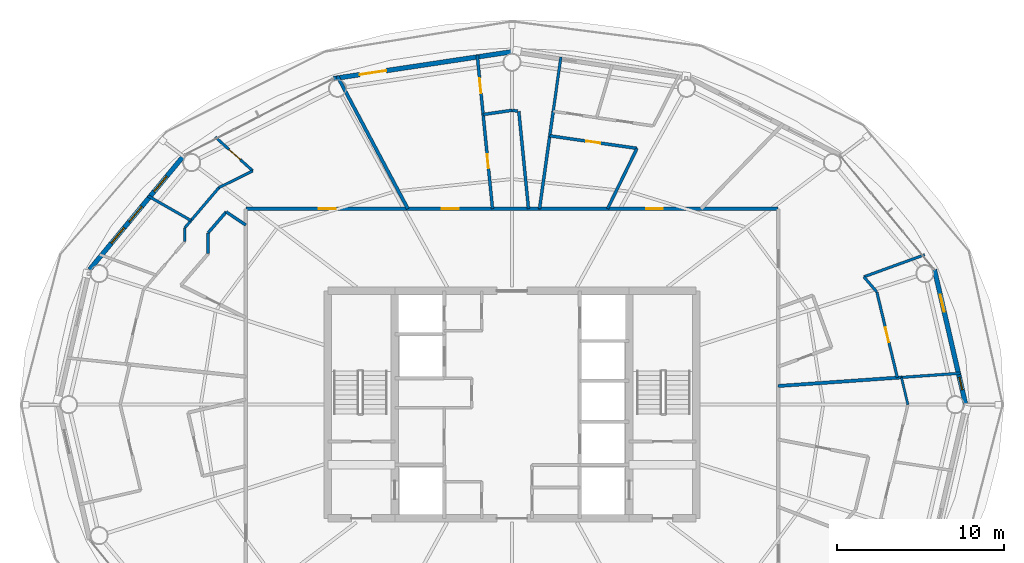
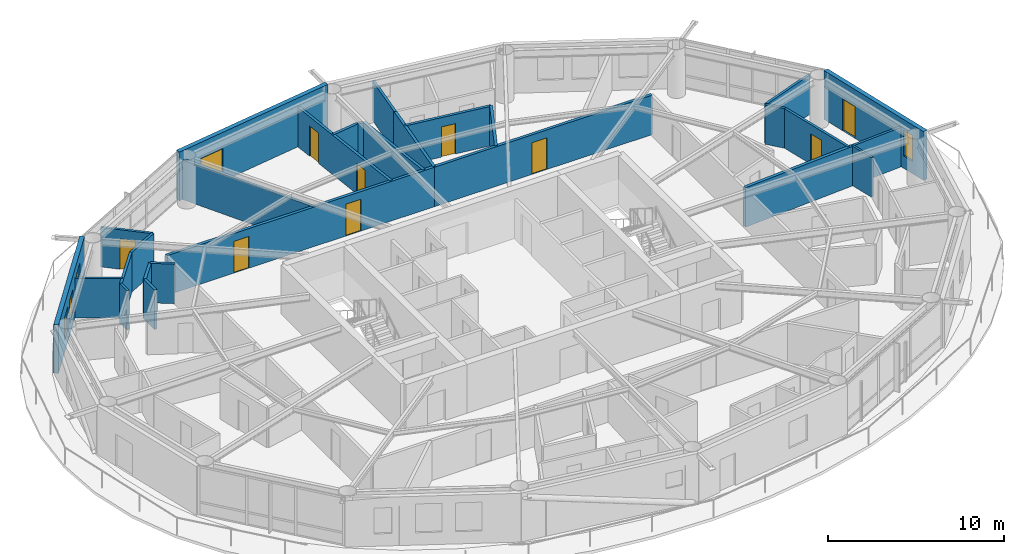
# One storey, part 23 of 27: 28 walls, 10 doors, 4 windows, 14 openings.
"""IFC4 building model written with IfcOpenShell, lengths in metres."""

from ifc_helpers import new_model, si_unit, direction, frame, frame_2d, origin, place, context, subcontext, project, spatial, rectangle, extrude, material, layer, layer_set, type_object, element, fill, save


model = new_model("IFC4")

# Units and contexts
model_context = context("Model", 3, precision=1e-05, world=origin(), true_north=direction((0.0, 1.0)))
body_context = subcontext(model_context, "Body", "Model", "MODEL_VIEW")
ifc_project = project(units=[si_unit("LENGTHUNIT", "METRE"), si_unit("AREAUNIT", "SQUARE_METRE"), si_unit("VOLUMEUNIT", "CUBIC_METRE"), si_unit("PLANEANGLEUNIT", "RADIAN"), si_unit("MASSUNIT", "GRAM", prefix="KILO")], contexts=[model_context])

# Site, building, storey
site_placement = place(None, origin())
site = spatial("IfcSite", under=ifc_project, at=site_placement, CompositionType="ELEMENT")
building_placement = place(site_placement, origin())
building = spatial("IfcBuilding", under=site, at=building_placement, Name="Sarneth Arch Tower", CompositionType="ELEMENT")
storey_placement = place(building_placement, frame((0.0, 0.0, 157.800048828125)))
storey = spatial("IfcBuildingStorey", under=building, at=storey_placement, Name="L39", CompositionType="ELEMENT", Elevation=157.800048828125)

# Wall, openings, doors
ifc_material_1 = material(Name="Double steel-stud corridor fire wall", Category="steel")
ifc_layer_1 = layer(ifc_material_1, 0.18994140625)
ifc_layer_set_1 = layer_set([ifc_layer_1], Name="Double steel-stud corridor fire wall")
wall_type_1 = type_object("IfcWallType", Name="WALL-CORR-190", PredefinedType="PARTITIONING", material=ifc_layer_set_1)
wall_1_placement = place(storey_placement, frame((32.10009765625, 53.699951171875, 0.0), z_axis=(0.0, 0.0, 1.0), x_axis=(1.0, 0.0, 0.0)))
wall_1 = element("IfcWall", 1, at=wall_1_placement, inside=storey, type_object=wall_type_1, Name="L39 Interior partition W-L39-TP-012", PredefinedType="PARTITIONING", context=body_context, shape_type="SweptSolid", body=[
    extrude(rectangle(XDim=17.576416015625, YDim=0.18994140625, at=frame_2d((8.7880859375, 0.0))), origin(), (0.0, 0.0, 1.0), 2.739990234375),
])
opening_1_placement = place(wall_1_placement, frame((4.357666015625, 0.0, 0.0)))
opening_1 = element("IfcOpeningElement", 2, at=opening_1_placement, cuts=wall_1, Name="Opening FD-08", PredefinedType="OPENING", context=body_context, shape_type="SweptSolid", body=[
    extrude(rectangle(XDim=1.0, YDim=2.199951171875, at=frame_2d((0.5, 1.10009765625))), frame((0.0, 0.10498046875, 0.0), z_axis=(0.0, -1.0, 0.0), x_axis=(1.0, 0.0, 0.0)), (0.0, 0.0, 1.0), 0.2099609375),
])
opening_2_placement = place(wall_1_placement, frame((11.70556640625, 0.0, 0.0)))
opening_2 = element("IfcOpeningElement", 3, at=opening_2_placement, cuts=wall_1, Name="Opening FD-08", PredefinedType="OPENING", context=body_context, shape_type="SweptSolid", body=[
    extrude(rectangle(XDim=1.0, YDim=2.199951171875, at=frame_2d((0.5, 1.10009765625))), frame((0.0, 0.10498046875, 0.0), z_axis=(0.0, -1.0, 0.0), x_axis=(1.0, 0.0, 0.0)), (0.0, 0.0, 1.0), 0.2099609375),
])
ifc_material_2 = material(Name="Hardwood timber acoustic fire door", Category="wood")
door_type_1 = type_object("IfcDoorType", Name="DR-FD60-1000", OperationType="SINGLE_SWING_LEFT", PredefinedType="DOOR", material=ifc_material_2)
door_1_placement = place(opening_1_placement, origin())
door_1 = element("IfcDoor", 4, at=door_1_placement, inside=storey, type_object=door_type_1, Name="L39 Interior door DR-L39-U4-ENT", OperationType="SINGLE_SWING_RIGHT", OverallHeight=2.199951171875, OverallWidth=1.0, PredefinedType="DOOR", context=body_context, shape_type="SweptSolid", body=[
    extrude(rectangle(XDim=1.0, YDim=2.199951171875, at=frame_2d((0.5, 1.10009765625))), frame((0.0, 0.02490234375, 0.0), z_axis=(0.0, -1.0, 0.0), x_axis=(1.0, 0.0, 0.0)), (0.0, 0.0, 1.0), 0.050048828125),
])
fill(opening_1, door_1)
door_2_placement = place(opening_2_placement, origin())
door_2 = element("IfcDoor", 5, at=door_2_placement, inside=storey, type_object=door_type_1, Name="L39 Interior door DR-L39-U3-ENT", OperationType="SINGLE_SWING_LEFT", OverallHeight=2.199951171875, OverallWidth=1.0, PredefinedType="DOOR", context=body_context, shape_type="SweptSolid", body=[
    extrude(rectangle(XDim=1.0, YDim=2.199951171875, at=frame_2d((0.5, 1.10009765625))), frame((0.0, 0.02490234375, 0.0), z_axis=(0.0, -1.0, 0.0), x_axis=(1.0, 0.0, 0.0)), (0.0, 0.0, 1.0), 0.050048828125),
])
fill(opening_2, door_2)

# Wall, opening, door
wall_2_placement = place(storey_placement, frame((49.612060546875, 53.699951171875, 0.0), z_axis=(0.0, 0.0, 1.0), x_axis=(1.0, 0.0, 0.0)))
wall_2 = element("IfcWall", 6, at=wall_2_placement, inside=storey, type_object=wall_type_1, Name="L39 Interior partition W-L39-TP-005", PredefinedType="PARTITIONING", context=body_context, shape_type="SweptSolid", body=[
    extrude(rectangle(XDim=14.287841796875, YDim=0.18994140625, at=frame_2d((7.14404296875, 0.0))), origin(), (0.0, 0.0, 1.0), 2.739990234375),
])
opening_3_placement = place(wall_2_placement, frame((6.39501953125, 0.0, 0.0)))
opening_3 = element("IfcOpeningElement", 7, at=opening_3_placement, cuts=wall_2, Name="Opening FD-08", PredefinedType="OPENING", context=body_context, shape_type="SweptSolid", body=[
    extrude(rectangle(XDim=1.0, YDim=2.199951171875, at=frame_2d((0.5, 1.10009765625))), frame((0.0, 0.10498046875, 0.0), z_axis=(0.0, -1.0, 0.0), x_axis=(1.0, 0.0, 0.0)), (0.0, 0.0, 1.0), 0.2099609375),
])
door_3_placement = place(opening_3_placement, origin())
door_3 = element("IfcDoor", 8, at=door_3_placement, inside=storey, type_object=door_type_1, Name="L39 Interior door DR-L39-U2-ENT", OperationType="SINGLE_SWING_LEFT", OverallHeight=2.199951171875, OverallWidth=1.0, PredefinedType="DOOR", context=body_context, shape_type="SweptSolid", body=[
    extrude(rectangle(XDim=1.0, YDim=2.199951171875, at=frame_2d((0.5, 1.10009765625))), frame((0.0, 0.02490234375, 0.0), z_axis=(0.0, -1.0, 0.0), x_axis=(1.0, 0.0, 0.0)), (0.0, 0.0, 1.0), 0.050048828125),
])
fill(opening_3, door_3)

# Wall, openings, door, window
ifc_material_3 = material(Name="Extruded terracotta rainscreen on Concrete C40/50 backing", Category="masonry")
ifc_layer_2 = layer(ifc_material_3, 0.280029296875)
ifc_layer_set_2 = layer_set([ifc_layer_2], Name="Extruded terracotta rainscreen on Concrete C40/50 backing")
wall_type_2 = type_object("IfcWallType", Name="WALL-EXT-TERRA-280", PredefinedType="SOLIDWALL", material=ifc_layer_set_2)
wall_3_placement = place(storey_placement, frame((75.099365234375, 42.0, 0.0), z_axis=(0.0, 0.0, 1.0), x_axis=(-0.225473184558, 0.974249374157, 0.0)))
wall_3 = element("IfcWall", 9, at=wall_3_placement, inside=storey, type_object=wall_type_2, Name="L39 Terracotta perimeter wall 01", PredefinedType="SOLIDWALL", context=body_context, shape_type="SweptSolid", body=[
    extrude(rectangle(XDim=8.280029296875, YDim=0.280029296875, at=frame_2d((4.14013671875, 0.0))), origin(), (0.0, 0.0, 1.0), 3.3798828125),
])
opening_4_placement = place(wall_3_placement, frame((5.69384765625, 0.0, 0.0)))
opening_4 = element("IfcOpeningElement", 10, at=opening_4_placement, cuts=wall_3, Name="Opening BD-4", PredefinedType="OPENING", context=body_context, shape_type="SweptSolid", body=[
    extrude(rectangle(XDim=1.050048828125, YDim=2.199951171875, at=frame_2d((0.52490234375, 1.10009765625))), frame((0.0, 0.14990234375, 0.0), z_axis=(0.0, -1.0, 0.0), x_axis=(1.0, 0.0, 0.0)), (0.0, 0.0, 1.0), 0.300048828125),
])
opening_5_placement = place(wall_3_placement, frame((0.918212890625, 0.0, 0.85009765625)))
opening_5 = element("IfcOpeningElement", 11, at=opening_5_placement, cuts=wall_3, Name="Opening W-13", PredefinedType="OPENING", context=body_context, shape_type="SweptSolid", body=[
    extrude(rectangle(XDim=0.75, YDim=1.800048828125, at=frame_2d((0.375, 0.89990234375))), frame((0.0, 0.14990234375, 0.0), z_axis=(0.0, -1.0, 0.0), x_axis=(1.0, 0.0, 0.0)), (0.0, 0.0, 1.0), 0.300048828125),
])
ifc_material_4 = material(Name="Thermally broken Aluminium 6063-T6 and laminated safety glass", Category="aluminium")
door_type_2 = type_object("IfcDoorType", Name="DR-BALC-GLZ-1050", OperationType="SINGLE_SWING_RIGHT", PredefinedType="DOOR", material=ifc_material_4)
door_4_placement = place(opening_4_placement, origin())
door_4 = element("IfcDoor", 12, at=door_4_placement, inside=storey, type_object=door_type_2, Name="L39 Balcony glazed door 01", OperationType="SINGLE_SWING_RIGHT", OverallHeight=2.199951171875, OverallWidth=1.050048828125, PredefinedType="DOOR", context=body_context, shape_type="SweptSolid", body=[
    extrude(rectangle(XDim=1.050048828125, YDim=2.199951171875, at=frame_2d((0.52490234375, 1.10009765625))), frame((0.0, 0.02490234375, 0.0), z_axis=(0.0, -1.0, 0.0), x_axis=(1.0, 0.0, 0.0)), (0.0, 0.0, 1.0), 0.050048828125),
])
fill(opening_4, door_4)
ifc_material_5 = material(Name="Thermally broken Aluminium 6063-T6 and low-e laminated IGU", Category="aluminium")
window_type_1 = type_object("IfcWindowType", Name="WIN-TWR-750x1800", PartitioningType="SINGLE_PANEL", PredefinedType="WINDOW", material=ifc_material_5)
window_1_placement = place(opening_5_placement, origin())
window_1 = element("IfcWindow", 13, at=window_1_placement, inside=storey, type_object=window_type_1, Name="L39 Dwelling bedroom window 05", OverallHeight=1.800048828125, OverallWidth=0.75, PartitioningType="SINGLE_PANEL", PredefinedType="WINDOW", context=body_context, shape_type="SweptSolid", body=[
    extrude(rectangle(XDim=0.75, YDim=1.800048828125, at=frame_2d((0.375, 0.89990234375))), frame((0.0, 0.030029296875, 0.0), z_axis=(0.0, -1.0, 0.0), x_axis=(1.0, 0.0, 0.0)), (0.0, 0.0, 1.0), 0.06005859375),
])
fill(opening_5, window_1)

# Wall, opening, door
wall_4_placement = place(storey_placement, frame((48.0, 63.080078125, 0.0), z_axis=(0.0, 0.0, 1.0), x_axis=(-0.988863993413, -0.148822049884, 0.0)))
wall_4 = element("IfcWall", 14, at=wall_4_placement, inside=storey, type_object=wall_type_2, Name="L39 Terracotta perimeter wall 05", PredefinedType="SOLIDWALL", context=body_context, shape_type="SweptSolid", body=[
    extrude(rectangle(XDim=10.782958984375, YDim=0.280029296875, at=frame_2d((5.3916015625, 0.0))), origin(), (0.0, 0.0, 1.0), 3.3798828125),
])
opening_6_placement = place(wall_4_placement, frame((7.601318359375, 0.0, 0.0)))
opening_6 = element("IfcOpeningElement", 15, at=opening_6_placement, cuts=wall_4, Name="Opening BD-1", PredefinedType="OPENING", context=body_context, shape_type="SweptSolid", body=[
    extrude(rectangle(XDim=1.60009765625, YDim=2.25, at=frame_2d((0.800048828125, 1.125))), frame((0.0, 0.14990234375, 0.0), z_axis=(0.0, -1.0, 0.0), x_axis=(1.0, 0.0, 0.0)), (0.0, 0.0, 1.0), 0.300048828125),
])
ifc_material_6 = material(Name="Thermally broken Aluminium 6063-T6 and laminated safety glass", Category="aluminium")
door_type_3 = type_object("IfcDoorType", Name="DR-BALC-GLZ-1600", OperationType="DOUBLE_DOOR_SINGLE_SWING", PredefinedType="DOOR", material=ifc_material_6)
door_5_placement = place(opening_6_placement, origin())
door_5 = element("IfcDoor", 16, at=door_5_placement, inside=storey, type_object=door_type_3, Name="L39 Balcony glazed door 05", OperationType="DOUBLE_DOOR_SINGLE_SWING", OverallHeight=2.25, OverallWidth=1.60009765625, PredefinedType="DOOR", context=body_context, shape_type="SweptSolid", body=[
    extrude(rectangle(XDim=1.60009765625, YDim=2.25, at=frame_2d((0.800048828125, 1.125))), frame((0.0, 0.02490234375, 0.0), z_axis=(0.0, -1.0, 0.0), x_axis=(1.0, 0.0, 0.0)), (0.0, 0.0, 1.0), 0.050048828125),
])
fill(opening_6, door_5)

# Wall, openings, windows
wall_5_placement = place(storey_placement, frame((28.423828125, 56.90576171875, 0.0), z_axis=(0.0, 0.0, 1.0), x_axis=(-0.637333477683, -0.770588111915, 0.0)))
wall_5 = element("IfcWall", 17, at=wall_5_placement, inside=storey, type_object=wall_type_2, Name="L39 Terracotta perimeter wall 07", PredefinedType="SOLIDWALL", context=body_context, shape_type="SweptSolid", body=[
    extrude(rectangle(XDim=8.874755859375, YDim=0.280029296875, at=frame_2d((4.4375, 0.0))), origin(), (0.0, 0.0, 1.0), 3.3798828125),
])
opening_7_placement = place(wall_5_placement, frame((1.635986328125, 0.0, 0.85009765625)))
opening_7 = element("IfcOpeningElement", 18, at=opening_7_placement, cuts=wall_5, Name="Opening W-09", PredefinedType="OPENING", context=body_context, shape_type="SweptSolid", body=[
    extrude(rectangle(XDim=1.199951171875, YDim=1.800048828125, at=frame_2d((0.60009765625, 0.89990234375))), frame((0.0, 0.14990234375, 0.0), z_axis=(0.0, -1.0, 0.0), x_axis=(1.0, 0.0, 0.0)), (0.0, 0.0, 1.0), 0.300048828125),
])
opening_8_placement = place(wall_5_placement, frame((3.97265625, 0.0, 0.85009765625)))
opening_8 = element("IfcOpeningElement", 19, at=opening_8_placement, cuts=wall_5, Name="Opening W-10", PredefinedType="OPENING", context=body_context, shape_type="SweptSolid", body=[
    extrude(rectangle(XDim=1.199951171875, YDim=1.60009765625, at=frame_2d((0.60009765625, 0.800048828125))), frame((0.0, 0.14990234375, 0.0), z_axis=(0.0, -1.0, 0.0), x_axis=(1.0, 0.0, 0.0)), (0.0, 0.0, 1.0), 0.300048828125),
])
opening_9_placement = place(wall_5_placement, frame((5.635009765625, 0.0, 0.85009765625)))
opening_9 = element("IfcOpeningElement", 20, at=opening_9_placement, cuts=wall_5, Name="Opening W-10", PredefinedType="OPENING", context=body_context, shape_type="SweptSolid", body=[
    extrude(rectangle(XDim=1.199951171875, YDim=1.60009765625, at=frame_2d((0.60009765625, 0.800048828125))), frame((0.0, 0.14990234375, 0.0), z_axis=(0.0, -1.0, 0.0), x_axis=(1.0, 0.0, 0.0)), (0.0, 0.0, 1.0), 0.300048828125),
])
ifc_material_7 = material(Name="Thermally broken Aluminium 6063-T6 and low-e laminated IGU", Category="aluminium")
window_type_2 = type_object("IfcWindowType", Name="WIN-TWR-1200x1600", PartitioningType="SINGLE_PANEL", PredefinedType="WINDOW", material=ifc_material_7)
window_2_placement = place(opening_8_placement, origin())
window_2 = element("IfcWindow", 21, at=window_2_placement, inside=storey, type_object=window_type_2, Name="L39 Exterior window 07B", OverallHeight=1.60009765625, OverallWidth=1.199951171875, PartitioningType="SINGLE_PANEL", PredefinedType="WINDOW", context=body_context, shape_type="SweptSolid", body=[
    extrude(rectangle(XDim=1.199951171875, YDim=1.60009765625, at=frame_2d((0.60009765625, 0.800048828125))), frame((0.0, 0.030029296875, 0.0), z_axis=(0.0, -1.0, 0.0), x_axis=(1.0, 0.0, 0.0)), (0.0, 0.0, 1.0), 0.06005859375),
])
fill(opening_8, window_2)
window_3_placement = place(opening_9_placement, origin())
window_3 = element("IfcWindow", 22, at=window_3_placement, inside=storey, type_object=window_type_2, Name="L39 Exterior window 07C", OverallHeight=1.60009765625, OverallWidth=1.199951171875, PartitioningType="SINGLE_PANEL", PredefinedType="WINDOW", context=body_context, shape_type="SweptSolid", body=[
    extrude(rectangle(XDim=1.199951171875, YDim=1.60009765625, at=frame_2d((0.60009765625, 0.800048828125))), frame((0.0, 0.030029296875, 0.0), z_axis=(0.0, -1.0, 0.0), x_axis=(1.0, 0.0, 0.0)), (0.0, 0.0, 1.0), 0.06005859375),
])
fill(opening_9, window_3)
ifc_material_8 = material(Name="Thermally broken Aluminium 6063-T6 and low-e laminated IGU", Category="aluminium")
window_type_3 = type_object("IfcWindowType", Name="WIN-TWR-1200x1800", PartitioningType="SINGLE_PANEL", PredefinedType="WINDOW", material=ifc_material_8)
window_4_placement = place(opening_7_placement, origin())
window_4 = element("IfcWindow", 23, at=window_4_placement, inside=storey, type_object=window_type_3, Name="L39 Exterior window 07A", OverallHeight=1.800048828125, OverallWidth=1.199951171875, PartitioningType="SINGLE_PANEL", PredefinedType="WINDOW", context=body_context, shape_type="SweptSolid", body=[
    extrude(rectangle(XDim=1.199951171875, YDim=1.800048828125, at=frame_2d((0.60009765625, 0.89990234375))), frame((0.0, 0.030029296875, 0.0), z_axis=(0.0, -1.0, 0.0), x_axis=(1.0, 0.0, 0.0)), (0.0, 0.0, 1.0), 0.06005859375),
])
fill(opening_7, window_4)

# Walls
ifc_material_9 = material(Name="Apartment internal stud partition", Category="gypsum")
ifc_layer_3 = layer(ifc_material_9, 0.139892578125)
ifc_layer_set_3 = layer_set([ifc_layer_3], Name="Apartment internal stud partition")
wall_type_3 = type_object("IfcWallType", Name="WALL-PART-140", PredefinedType="PARTITIONING", material=ifc_layer_set_3)
wall_6_placement = place(storey_placement, frame((71.648681640625, 42.0, 0.0), z_axis=(0.0, 0.0, 1.0), x_axis=(-0.231561310927, 0.972820311919, 0.0)))
element("IfcWall", 24, at=wall_6_placement, inside=storey, type_object=wall_type_3, Name="L39 Interior partition W-L39-TP-110", PredefinedType="PARTITIONING", context=body_context, shape_type="SweptSolid", body=[
    extrude(rectangle(XDim=1.672119140625, YDim=0.139892578125, at=frame_2d((0.8359375, 0.0))), origin(), (0.0, 0.0, 1.0), 2.739990234375),
])
ifc_material_10 = material(Name="Acoustic gypsum stud partition", Category="gypsum")
ifc_layer_4 = layer(ifc_material_10, 0.14990234375)
ifc_layer_set_4 = layer_set([ifc_layer_4], Name="Acoustic gypsum stud partition")
wall_type_4 = type_object("IfcWallType", Name="WALL-PART-150", PredefinedType="PARTITIONING", material=ifc_layer_set_4)
wall_7_placement = place(storey_placement, frame((28.449951171875, 52.556640625, 0.0), z_axis=(0.0, 0.0, 1.0), x_axis=(0.0, -1.0, 0.0)))
element("IfcWall", 25, at=wall_7_placement, inside=storey, type_object=wall_type_4, Name="L39 Interior partition W-L39-TP-061", PredefinedType="PARTITIONING", context=body_context, shape_type="SweptSolid", body=[
    extrude(rectangle(XDim=0.812255859375, YDim=0.14990234375, at=frame_2d((0.40625, 0.0))), origin(), (0.0, 0.0, 1.0), 2.739990234375),
])

# Wall, opening, door
ifc_material_11 = material(Name="Kitchen wet service chase wall", Category="gypsum")
ifc_layer_5 = layer(ifc_material_11, 0.159912109375)
ifc_layer_set_5 = layer_set([ifc_layer_5], Name="Kitchen wet service chase wall")
wall_type_5 = type_object("IfcWallType", Name="WALL-PLUMB-160", PredefinedType="PLUMBINGWALL", material=ifc_layer_set_5)
wall_8_placement = place(storey_placement, frame((69.793212890625, 48.7275390625, 0.0), z_axis=(0.0, 0.0, 1.0), x_axis=(0.23310450522, -0.972451690135, 0.0)))
wall_8 = element("IfcWall", 26, at=wall_8_placement, inside=storey, type_object=wall_type_5, Name="L39 Interior partition W-L39-TP-032", PredefinedType="PLUMBINGWALL", context=body_context, shape_type="SweptSolid", body=[
    extrude(rectangle(XDim=5.262939453125, YDim=0.159912109375, at=frame_2d((2.63134765625, 0.0))), origin(), (0.0, 0.0, 1.0), 2.739990234375),
])
opening_10_placement = place(wall_8_placement, frame((2.181396484375, 0.0, 0.0)))
opening_10 = element("IfcOpeningElement", 27, at=opening_10_placement, cuts=wall_8, Name="Opening ID-01", PredefinedType="OPENING", context=body_context, shape_type="SweptSolid", body=[
    extrude(rectangle(XDim=0.89990234375, YDim=2.10009765625, at=frame_2d((0.449951171875, 1.050048828125))), frame((0.0, 0.08984375, 0.0), z_axis=(0.0, -1.0, 0.0), x_axis=(1.0, 0.0, 0.0)), (0.0, 0.0, 1.0), 0.179931640625),
])
ifc_material_12 = material(Name="Engineered hardwood flush door", Category="wood")
door_type_4 = type_object("IfcDoorType", Name="DR-INT-900", OperationType="SINGLE_SWING_LEFT", PredefinedType="DOOR", material=ifc_material_12)
door_6_placement = place(opening_10_placement, origin())
door_6 = element("IfcDoor", 28, at=door_6_placement, inside=storey, type_object=door_type_4, Name="L39 Interior door DR-L39-U1-KIT", OperationType="SINGLE_SWING_RIGHT", OverallHeight=2.10009765625, OverallWidth=0.89990234375, PredefinedType="DOOR", context=body_context, shape_type="SweptSolid", body=[
    extrude(rectangle(XDim=0.89990234375, YDim=2.10009765625, at=frame_2d((0.449951171875, 1.050048828125))), frame((0.0, 0.02490234375, 0.0), z_axis=(0.0, -1.0, 0.0), x_axis=(1.0, 0.0, 0.0)), (0.0, 0.0, 1.0), 0.050048828125),
])
fill(opening_10, door_6)

# Walls
wall_9_placement = place(storey_placement, frame((72.6474609375, 50.951416015625, 0.0), z_axis=(0.0, 0.0, 1.0), x_axis=(-0.939926248806, -0.341377572206, 0.0)))
element("IfcWall", 29, at=wall_9_placement, inside=storey, type_object=wall_type_5, Name="L39 Interior partition W-L39-TP-030", PredefinedType="PLUMBINGWALL", context=body_context, shape_type="SweptSolid", body=[
    extrude(rectangle(XDim=3.86181640625, YDim=0.159912109375, at=frame_2d((1.930908203125, 0.0))), origin(), (0.0, 0.0, 1.0), 2.739990234375),
])
wall_10_placement = place(storey_placement, frame((71.261474609375, 43.626708984375, 0.0), z_axis=(0.0, 0.0, 1.0), x_axis=(0.997563824095, 0.069759707979, 0.0)))
element("IfcWall", 30, at=wall_10_placement, inside=storey, type_object=wall_type_5, Name="L39 Interior partition W-L39-TP-036", PredefinedType="PLUMBINGWALL", context=body_context, shape_type="SweptSolid", body=[
    extrude(rectangle(XDim=3.53466796875, YDim=0.159912109375, at=frame_2d((1.767333984375, 0.0))), origin(), (0.0, 0.0, 1.0), 2.739990234375),
])
wall_11_placement = place(storey_placement, frame((50.91796875, 62.76220703125, 0.0), z_axis=(0.0, 0.0, 1.0), x_axis=(-0.139198258336, -0.990264532777, 0.0)))
element("IfcWall", 31, at=wall_11_placement, inside=storey, type_object=wall_type_5, Name="L39 Interior partition W-L39-TP-045", PredefinedType="PLUMBINGWALL", context=body_context, shape_type="SweptSolid", body=[
    extrude(rectangle(XDim=3.30615234375, YDim=0.159912109375, at=frame_2d((1.653076171875, 0.0))), origin(), (0.0, 0.0, 1.0), 2.739990234375),
])

# Wall, opening, door
wall_12_placement = place(storey_placement, frame((32.51171875, 55.966552734375, 0.0), z_axis=(0.0, 0.0, 1.0), x_axis=(-0.74263222061, 0.669699473579, 0.0)))
wall_12 = element("IfcWall", 32, at=wall_12_placement, inside=storey, type_object=wall_type_5, Name="L39 Interior partition W-L39-TP-054", PredefinedType="PLUMBINGWALL", context=body_context, shape_type="SweptSolid", body=[
    extrude(rectangle(XDim=3.00927734375, YDim=0.159912109375, at=frame_2d((1.504638671875, 0.0))), origin(), (0.0, 0.0, 1.0), 2.739990234375),
])
opening_11_placement = place(wall_12_placement, frame((0.99462890625, 0.0, 0.0)))
opening_11 = element("IfcOpeningElement", 33, at=opening_11_placement, cuts=wall_12, Name="Opening ID-01", PredefinedType="OPENING", context=body_context, shape_type="SweptSolid", body=[
    extrude(rectangle(XDim=0.89990234375, YDim=2.10009765625, at=frame_2d((0.449951171875, 1.050048828125))), frame((0.0, 0.08984375, 0.0), z_axis=(0.0, -1.0, 0.0), x_axis=(1.0, 0.0, 0.0)), (0.0, 0.0, 1.0), 0.179931640625),
])
door_7_placement = place(opening_11_placement, origin())
door_7 = element("IfcDoor", 34, at=door_7_placement, inside=storey, type_object=door_type_4, Name="L39 Interior door DR-L39-U4-KIT", OperationType="SINGLE_SWING_RIGHT", OverallHeight=2.10009765625, OverallWidth=0.89990234375, PredefinedType="DOOR", context=body_context, shape_type="SweptSolid", body=[
    extrude(rectangle(XDim=0.89990234375, YDim=2.10009765625, at=frame_2d((0.449951171875, 1.050048828125))), frame((0.0, 0.02490234375, 0.0), z_axis=(0.0, -1.0, 0.0), x_axis=(1.0, 0.0, 0.0)), (0.0, 0.0, 1.0), 0.050048828125),
])
fill(opening_11, door_7)

# Walls
wall_13_placement = place(storey_placement, frame((26.254638671875, 54.46875, 0.0), z_axis=(0.0, 0.0, 1.0), x_axis=(0.867481094493, -0.497470150558, 0.0)))
element("IfcWall", 35, at=wall_13_placement, inside=storey, type_object=wall_type_5, Name="L39 Interior partition W-L39-TP-067", PredefinedType="PLUMBINGWALL", context=body_context, shape_type="SweptSolid", body=[
    extrude(rectangle(XDim=2.961181640625, YDim=0.159912109375, at=frame_2d((1.48046875, 0.0))), origin(), (0.0, 0.0, 1.0), 2.739990234375),
])
wall_14_placement = place(storey_placement, frame((28.449951171875, 52.556640625, 0.0), z_axis=(0.0, 0.0, 1.0), x_axis=(0.647888606369, 0.761735094201, 0.0)))
element("IfcWall", 36, at=wall_14_placement, inside=storey, type_object=wall_type_5, Name="L39 Interior partition W-L39-TP-052", PredefinedType="PLUMBINGWALL", context=body_context, shape_type="SweptSolid", body=[
    extrude(rectangle(XDim=3.15673828125, YDim=0.159912109375, at=frame_2d((1.578369140625, 0.0))), origin(), (0.0, 0.0, 1.0), 2.739990234375),
])
wall_15_placement = place(storey_placement, frame((30.4951171875, 54.961181640625, 0.0), z_axis=(0.0, 0.0, 1.0), x_axis=(0.894946652065, 0.446173161405, 0.0)))
element("IfcWall", 37, at=wall_15_placement, inside=storey, type_object=wall_type_5, Name="L39 Interior partition W-L39-TP-053", PredefinedType="PLUMBINGWALL", context=body_context, shape_type="SweptSolid", body=[
    extrude(rectangle(XDim=2.25341796875, YDim=0.159912109375, at=frame_2d((1.126708984375, 0.0))), origin(), (0.0, 0.0, 1.0), 2.739990234375),
])
wall_16_placement = place(storey_placement, frame((69.017578125, 49.633056640625, 0.0), z_axis=(0.0, 0.0, 1.0), x_axis=(0.650538392346, -0.759473370227, 0.0)))
element("IfcWall", 38, at=wall_16_placement, inside=storey, type_object=wall_type_5, Name="L39 Interior partition W-L39-TP-031", PredefinedType="PLUMBINGWALL", context=body_context, shape_type="SweptSolid", body=[
    extrude(rectangle(XDim=1.1923828125, YDim=0.159912109375, at=frame_2d((0.59619140625, 0.0))), origin(), (0.0, 0.0, 1.0), 2.739990234375),
])
ifc_material_13 = material(Name="Moisture-resistant plumbing chase wall", Category="gypsum")
ifc_layer_6 = layer(ifc_material_13, 0.179931640625)
ifc_layer_set_6 = layer_set([ifc_layer_6], Name="Moisture-resistant plumbing chase wall")
wall_type_6 = type_object("IfcWallType", Name="WALL-PLUMB-180", PredefinedType="PLUMBINGWALL", material=ifc_layer_set_6)
wall_17_placement = place(storey_placement, frame((48.407470703125, 59.520751953125, 0.0), z_axis=(0.0, 0.0, 1.0), x_axis=(0.098958231484, -0.995091587956, 0.0)))
element("IfcWall", 39, at=wall_17_placement, inside=storey, type_object=wall_type_6, Name="L39 Interior partition W-L39-TP-051", PredefinedType="PLUMBINGWALL", context=body_context, shape_type="SweptSolid", body=[
    extrude(rectangle(XDim=5.849609375, YDim=0.179931640625, at=frame_2d((2.9248046875, 0.0))), origin(), (0.0, 0.0, 1.0), 2.739990234375),
])

# Wall, openings, doors
wall_18_placement = place(storey_placement, frame((45.92236328125, 62.888427734375, 0.0), z_axis=(0.0, 0.0, 1.0), x_axis=(0.098964435759, -0.995090970944, 0.0)))
wall_18 = element("IfcWall", 40, at=wall_18_placement, inside=storey, type_object=wall_type_6, Name="L39 Interior partition W-L39-TP-046", PredefinedType="PLUMBINGWALL", context=body_context, shape_type="SweptSolid", body=[
    extrude(rectangle(XDim=9.23388671875, YDim=0.179931640625, at=frame_2d((4.616943359375, 0.0))), origin(), (0.0, 0.0, 1.0), 2.739990234375),
])
opening_12_placement = place(wall_18_placement, frame((5.964111328125, 0.0, 0.0)))
opening_12 = element("IfcOpeningElement", 41, at=opening_12_placement, cuts=wall_18, Name="Opening ID-02", PredefinedType="OPENING", context=body_context, shape_type="SweptSolid", body=[
    extrude(rectangle(XDim=0.85009765625, YDim=2.10009765625, at=frame_2d((0.425048828125, 1.050048828125))), frame((0.0, 0.099853515625, 0.0), z_axis=(0.0, -1.0, 0.0), x_axis=(1.0, 0.0, 0.0)), (0.0, 0.0, 1.0), 0.199951171875),
])
opening_13_placement = place(wall_18_placement, frame((1.398193359375, 0.0, 0.0)))
opening_13 = element("IfcOpeningElement", 42, at=opening_13_placement, cuts=wall_18, Name="Opening ID-01", PredefinedType="OPENING", context=body_context, shape_type="SweptSolid", body=[
    extrude(rectangle(XDim=0.89990234375, YDim=2.10009765625, at=frame_2d((0.449951171875, 1.050048828125))), frame((0.0, 0.099853515625, 0.0), z_axis=(0.0, -1.0, 0.0), x_axis=(1.0, 0.0, 0.0)), (0.0, 0.0, 1.0), 0.199951171875),
])
ifc_material_14 = material(Name="Moisture-resistant bathroom timber door", Category="wood")
door_type_5 = type_object("IfcDoorType", Name="DR-INT-850", OperationType="SINGLE_SWING_RIGHT", PredefinedType="DOOR", material=ifc_material_14)
door_8_placement = place(opening_12_placement, origin())
door_8 = element("IfcDoor", 43, at=door_8_placement, inside=storey, type_object=door_type_5, Name="L39 Interior door DR-L39-U3-BATH", OperationType="SINGLE_SWING_RIGHT", OverallHeight=2.10009765625, OverallWidth=0.85009765625, PredefinedType="DOOR", context=body_context, shape_type="SweptSolid", body=[
    extrude(rectangle(XDim=0.85009765625, YDim=2.10009765625, at=frame_2d((0.425048828125, 1.050048828125))), frame((0.0, 0.02490234375, 0.0), z_axis=(0.0, -1.0, 0.0), x_axis=(1.0, 0.0, 0.0)), (0.0, 0.0, 1.0), 0.050048828125),
])
fill(opening_12, door_8)
door_9_placement = place(opening_13_placement, origin())
door_9 = element("IfcDoor", 44, at=door_9_placement, inside=storey, type_object=door_type_4, Name="L39 Interior door DR-L39-U3-KIT", OperationType="SINGLE_SWING_LEFT", OverallHeight=2.10009765625, OverallWidth=0.89990234375, PredefinedType="DOOR", context=body_context, shape_type="SweptSolid", body=[
    extrude(rectangle(XDim=0.89990234375, YDim=2.10009765625, at=frame_2d((0.449951171875, 1.050048828125))), frame((0.0, 0.02490234375, 0.0), z_axis=(0.0, -1.0, 0.0), x_axis=(1.0, 0.0, 0.0)), (0.0, 0.0, 1.0), 0.050048828125),
])
fill(opening_13, door_9)

# Wall, opening, door
wall_19_placement = place(storey_placement, frame((55.465576171875, 57.306884765625, 0.0), z_axis=(0.0, 0.0, 1.0), x_axis=(-0.989825713309, 0.142285126674, 0.0)))
wall_19 = element("IfcWall", 45, at=wall_19_placement, inside=storey, type_object=wall_type_6, Name="L39 Interior partition W-L39-TP-040", PredefinedType="PLUMBINGWALL", context=body_context, shape_type="SweptSolid", body=[
    extrude(rectangle(XDim=5.262451171875, YDim=0.179931640625, at=frame_2d((2.63134765625, 0.0))), origin(), (0.0, 0.0, 1.0), 2.739990234375),
])
opening_14_placement = place(wall_19_placement, frame((2.206298828125, 0.0, 0.0)))
opening_14 = element("IfcOpeningElement", 46, at=opening_14_placement, cuts=wall_19, Name="Opening ID-02", PredefinedType="OPENING", context=body_context, shape_type="SweptSolid", body=[
    extrude(rectangle(XDim=0.85009765625, YDim=2.10009765625, at=frame_2d((0.425048828125, 1.050048828125))), frame((0.0, 0.099853515625, 0.0), z_axis=(0.0, -1.0, 0.0), x_axis=(1.0, 0.0, 0.0)), (0.0, 0.0, 1.0), 0.199951171875),
])
door_10_placement = place(opening_14_placement, origin())
door_10 = element("IfcDoor", 47, at=door_10_placement, inside=storey, type_object=door_type_5, Name="L39 Interior door DR-L39-U2-BATH", OperationType="SINGLE_SWING_LEFT", OverallHeight=2.10009765625, OverallWidth=0.85009765625, PredefinedType="DOOR", context=body_context, shape_type="SweptSolid", body=[
    extrude(rectangle(XDim=0.85009765625, YDim=2.10009765625, at=frame_2d((0.425048828125, 1.050048828125))), frame((0.0, 0.02490234375, 0.0), z_axis=(0.0, -1.0, 0.0), x_axis=(1.0, 0.0, 0.0)), (0.0, 0.0, 1.0), 0.050048828125),
])
fill(opening_14, door_10)

# Walls
wall_20_placement = place(storey_placement, frame((50.466796875, 59.551513671875, 0.0), z_axis=(0.0, 0.0, 1.0), x_axis=(-0.139194058732, -0.990265123093, 0.0)))
element("IfcWall", 48, at=wall_20_placement, inside=storey, type_object=wall_type_6, Name="L39 Interior partition W-L39-TP-044", PredefinedType="PLUMBINGWALL", context=body_context, shape_type="SweptSolid", body=[
    extrude(rectangle(XDim=5.9091796875, YDim=0.179931640625, at=frame_2d((2.95458984375, 0.0))), origin(), (0.0, 0.0, 1.0), 2.739990234375),
])
wall_21_placement = place(storey_placement, frame((53.70654296875, 53.699951171875, 0.0), z_axis=(0.0, 0.0, 1.0), x_axis=(0.438333733087, 0.898812293217, 0.0)))
element("IfcWall", 49, at=wall_21_placement, inside=storey, type_object=wall_type_6, Name="L39 Interior partition W-L39-TP-039", PredefinedType="PLUMBINGWALL", context=body_context, shape_type="SweptSolid", body=[
    extrude(rectangle(XDim=4.012939453125, YDim=0.179931640625, at=frame_2d((2.00634765625, 0.0))), origin(), (0.0, 0.0, 1.0), 2.739990234375),
])
wall_22_placement = place(storey_placement, frame((46.2763671875, 59.32958984375, 0.0), z_axis=(0.0, 0.0, 1.0), x_axis=(0.989604582355, 0.143815056869, 0.0)))
element("IfcWall", 50, at=wall_22_placement, inside=storey, type_object=wall_type_6, Name="L39 Interior partition W-L39-TP-049", PredefinedType="PLUMBINGWALL", context=body_context, shape_type="SweptSolid", body=[
    extrude(rectangle(XDim=1.74169921875, YDim=0.179931640625, at=frame_2d((0.870849609375, 0.0))), origin(), (0.0, 0.0, 1.0), 2.739990234375),
])
wall_23_placement = place(storey_placement, frame((29.85009765625, 52.261962890625, 0.0), z_axis=(0.0, 0.0, 1.0), x_axis=(0.652334661778, 0.757931058239, 0.0)))
element("IfcWall", 51, at=wall_23_placement, inside=storey, type_object=wall_type_6, Name="L39 Interior partition W-L39-TP-058", PredefinedType="PLUMBINGWALL", context=body_context, shape_type="SweptSolid", body=[
    extrude(rectangle(XDim=1.653076171875, YDim=0.179931640625, at=frame_2d((0.82666015625, 0.0))), origin(), (0.0, 0.0, 1.0), 2.739990234375),
])
wall_24_placement = place(storey_placement, frame((30.928466796875, 53.514892578125, 0.0), z_axis=(0.0, 0.0, 1.0), x_axis=(0.829034879431, -0.55919689617, 0.0)))
element("IfcWall", 52, at=wall_24_placement, inside=storey, type_object=wall_type_6, Name="L39 Interior partition W-L39-TP-059", PredefinedType="PLUMBINGWALL", context=body_context, shape_type="SweptSolid", body=[
    extrude(rectangle(XDim=1.413330078125, YDim=0.179931640625, at=frame_2d((0.70654296875, 0.0))), origin(), (0.0, 0.0, 1.0), 2.739990234375),
])
wall_25_placement = place(storey_placement, frame((29.85009765625, 51.0126953125, 0.0), z_axis=(0.0, 0.0, 1.0), x_axis=(0.0, 1.0, 0.0)))
element("IfcWall", 53, at=wall_25_placement, inside=storey, type_object=wall_type_6, Name="L39 Interior partition W-L39-TP-057", PredefinedType="PLUMBINGWALL", context=body_context, shape_type="SweptSolid", body=[
    extrude(rectangle(XDim=1.249267578125, YDim=0.179931640625, at=frame_2d((0.62451171875, 0.0))), origin(), (0.0, 0.0, 1.0), 2.739990234375),
])
wall_26_placement = place(storey_placement, frame((48.011962890625, 59.578369140625, 0.0), z_axis=(0.0, 0.0, 1.0), x_axis=(0.989603801202, -0.143820431952, 0.0)))
element("IfcWall", 54, at=wall_26_placement, inside=storey, type_object=wall_type_6, Name="L39 Interior partition W-L39-TP-050", PredefinedType="PLUMBINGWALL", context=body_context, shape_type="SweptSolid", body=[
    extrude(rectangle(XDim=0.32763671875, YDim=0.179931640625, at=frame_2d((0.163818359375, 0.0))), origin(), (0.0, 0.0, 1.0), 2.739990234375),
])
ifc_material_15 = material(Name="Double steel-stud acoustic drywall", Category="steel")
ifc_layer_7 = layer(ifc_material_15, 0.199951171875)
ifc_layer_set_7 = layer_set([ifc_layer_7], Name="Double steel-stud acoustic drywall")
wall_type_7 = type_object("IfcWallType", Name="WALL-UNIT-200", PredefinedType="PARTITIONING", material=ifc_layer_set_7)
wall_27_placement = place(storey_placement, frame((37.565673828125, 61.624267578125, 0.0), z_axis=(0.0, 0.0, 1.0), x_axis=(0.469466796814, -0.882950126955, 0.0)))
element("IfcWall", 55, at=wall_27_placement, inside=storey, type_object=wall_type_7, Name="L39 Interior partition W-L39-TP-048", PredefinedType="PARTITIONING", context=body_context, shape_type="SweptSolid", body=[
    extrude(rectangle(XDim=8.974853515625, YDim=0.199951171875, at=frame_2d((4.4873046875, 0.0))), origin(), (0.0, 0.0, 1.0), 2.739990234375),
])
wall_28_placement = place(storey_placement, frame((71.261474609375, 43.626708984375, 0.0), z_axis=(0.0, 0.0, 1.0), x_axis=(-0.997562906323, -0.069772830877, 0.0)))
element("IfcWall", 56, at=wall_28_placement, inside=storey, type_object=wall_type_7, Name="L39 Interior partition W-L39-TP-034", PredefinedType="PARTITIONING", context=body_context, shape_type="SweptSolid", body=[
    extrude(rectangle(XDim=7.379638671875, YDim=0.199951171875, at=frame_2d((3.68994140625, 0.0))), origin(), (0.0, 0.0, 1.0), 2.739990234375),
])

save(model, "model.ifc")
